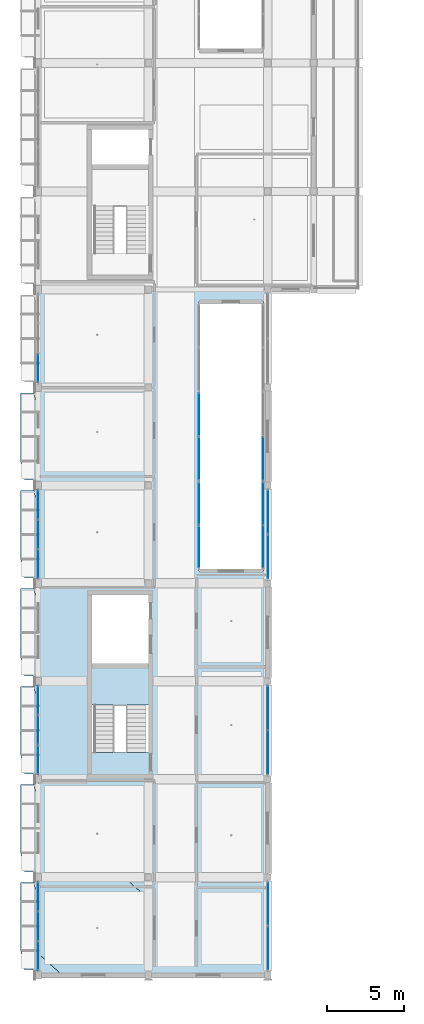
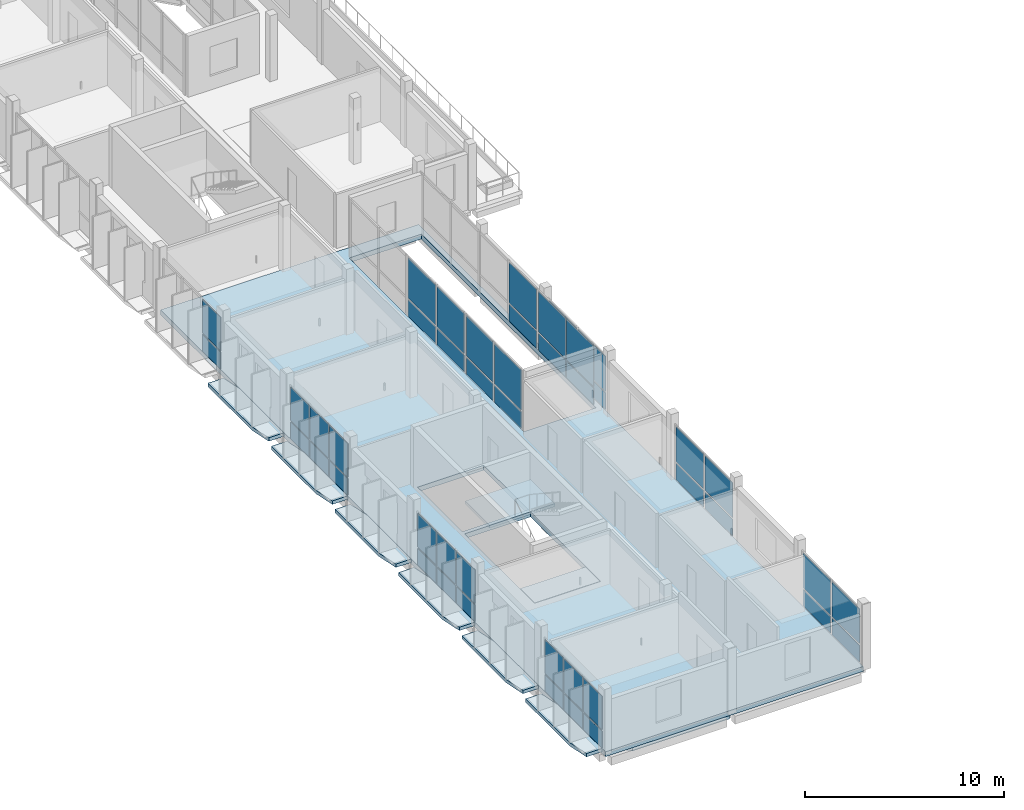
# One storey, part 39 of 86: 46 plates, 10 slabs, 12 elements without a shape of their own.
"""IFC4 building model written with IfcOpenShell, lengths in metres."""

from ifc_helpers import new_model, si_unit, derived_unit, direction, frame, origin, origin_2d, place, context, subcontext, project, spatial, polyline, rectangle, outline, extrude, material, layer, layer_set, type_object, element, aggregate, save


model = new_model("IFC4")

# Units and contexts
model_context = context("Model", 3, precision=1e-05, world=origin(), true_north=direction((0.0, 1.0)))
body_context = subcontext(model_context, "Body", "Model", "MODEL_VIEW")
ifc_project = project(units=[si_unit("LENGTHUNIT", "METRE"), si_unit("AREAUNIT", "SQUARE_METRE"), si_unit("VOLUMEUNIT", "CUBIC_METRE"), si_unit("PLANEANGLEUNIT", "RADIAN"), si_unit("MASSUNIT", "GRAM", prefix="KILO"), derived_unit("THERMALTRANSMITTANCEUNIT", [(si_unit("POWERUNIT", "WATT"), 1), (si_unit("LENGTHUNIT", "METRE"), -2), (si_unit("THERMODYNAMICTEMPERATUREUNIT", "KELVIN"), -1)])], contexts=[model_context])

# Site, building, storey
site_placement = place(None, origin())
site = spatial("IfcSite", under=ifc_project, at=site_placement, CompositionType="ELEMENT")
building_placement = place(site_placement, origin())
building = spatial("IfcBuilding", under=site, at=building_placement, Name="Braskholm Square Health Centre", CompositionType="ELEMENT")
storey_placement = place(building_placement, frame((0.0, 0.0, 13.5)))
storey = spatial("IfcBuildingStorey", under=building, at=storey_placement, Name="L04", CompositionType="ELEMENT", Elevation=13.5)

# Curtain wall, plates
ifc_material_1 = material(Name="Low-E triple insulating glass (VLT 0.64)", Category="glass")
curtain_wall_type_1 = type_object("IfcCurtainWallType", Name="UnitisedCurtainWall6200x3650", PredefinedType="NOTDEFINED", material=ifc_material_1)
curtain_wall_1_placement = place(storey_placement, origin())
curtain_wall_1 = element("IfcCurtainWall", 1, at=curtain_wall_1_placement, inside=storey, type_object=curtain_wall_type_1, Name="West Outer unitised curtain wall CW-L04-0022", PredefinedType="NOTDEFINED")
ifc_material_2 = material(Name="Architectural bronze anodised aluminium", Category="aluminium")
plate_type_1 = type_object("IfcPlateType", Name="CurtainPanelSpandrel1850x1020", PredefinedType="CURTAIN_PANEL", material=ifc_material_2)
plate_1_placement = place(storey_placement, frame((4.199951171875, 9.353271484375, 0.050048828125), z_axis=(0.0, 0.0, 1.0), x_axis=(0.0, -1.0, 0.0)))
plate_1 = element("IfcPlate", 2, at=plate_1_placement, type_object=plate_type_1, Name="CW-L04-0022 spandrel panel 1", PredefinedType="CURTAIN_PANEL", context=body_context, shape_type="SweptSolid", body=[
    extrude(rectangle(XDim=1.836181640625, YDim=0.035888671875, at=origin_2d()), origin(), (0.0, 0.0, 1.0), 1.02001953125),
])
plate_2_placement = place(storey_placement, frame((4.199951171875, 7.39990234375, 0.050048828125), z_axis=(0.0, 0.0, 1.0), x_axis=(0.0, -1.0, 0.0)))
plate_2 = element("IfcPlate", 3, at=plate_2_placement, type_object=plate_type_1, Name="CW-L04-0022 spandrel panel 2", PredefinedType="CURTAIN_PANEL", context=body_context, shape_type="SweptSolid", body=[
    extrude(rectangle(XDim=1.836181640625, YDim=0.035888671875, at=origin_2d()), origin(), (0.0, 0.0, 1.0), 1.02001953125),
])
plate_3_placement = place(storey_placement, frame((4.199951171875, 5.44677734375, 0.050048828125), z_axis=(0.0, 0.0, 1.0), x_axis=(0.0, -1.0, 0.0)))
plate_3 = element("IfcPlate", 4, at=plate_3_placement, type_object=plate_type_1, Name="CW-L04-0022 spandrel panel 3", PredefinedType="CURTAIN_PANEL", context=body_context, shape_type="SweptSolid", body=[
    extrude(rectangle(XDim=1.836181640625, YDim=0.035888671875, at=origin_2d()), origin(), (0.0, 0.0, 1.0), 1.02001953125),
])

curtain_wall_2_placement = place(storey_placement, origin())
curtain_wall_2 = element("IfcCurtainWall", 5, at=curtain_wall_2_placement, inside=storey, type_object=curtain_wall_type_1, Name="West Outer unitised curtain wall CW-L04-0023", PredefinedType="NOTDEFINED")
plate_4_placement = place(storey_placement, frame((4.199951171875, 22.1533203125, 0.050048828125), z_axis=(0.0, 0.0, 1.0), x_axis=(0.0, -1.0, 0.0)))
plate_4 = element("IfcPlate", 6, at=plate_4_placement, type_object=plate_type_1, Name="CW-L04-0023 spandrel panel 1", PredefinedType="CURTAIN_PANEL", context=body_context, shape_type="SweptSolid", body=[
    extrude(rectangle(XDim=1.836181640625, YDim=0.035888671875, at=origin_2d()), origin(), (0.0, 0.0, 1.0), 1.02001953125),
])
plate_5_placement = place(storey_placement, frame((4.199951171875, 20.199951171875, 0.050048828125), z_axis=(0.0, 0.0, 1.0), x_axis=(0.0, -1.0, 0.0)))
plate_5 = element("IfcPlate", 7, at=plate_5_placement, type_object=plate_type_1, Name="CW-L04-0023 spandrel panel 2", PredefinedType="CURTAIN_PANEL", context=body_context, shape_type="SweptSolid", body=[
    extrude(rectangle(XDim=1.836181640625, YDim=0.035888671875, at=origin_2d()), origin(), (0.0, 0.0, 1.0), 1.02001953125),
])
plate_6_placement = place(storey_placement, frame((4.199951171875, 18.24658203125, 0.050048828125), z_axis=(0.0, 0.0, 1.0), x_axis=(0.0, -1.0, 0.0)))
plate_6 = element("IfcPlate", 8, at=plate_6_placement, type_object=plate_type_1, Name="CW-L04-0023 spandrel panel 3", PredefinedType="CURTAIN_PANEL", context=body_context, shape_type="SweptSolid", body=[
    extrude(rectangle(XDim=1.836181640625, YDim=0.035888671875, at=origin_2d()), origin(), (0.0, 0.0, 1.0), 1.02001953125),
])

curtain_wall_3_placement = place(storey_placement, origin())
curtain_wall_3 = element("IfcCurtainWall", 9, at=curtain_wall_3_placement, inside=storey, type_object=curtain_wall_type_1, Name="West Outer unitised curtain wall CW-L04-0024", PredefinedType="NOTDEFINED")
plate_7_placement = place(storey_placement, frame((4.199951171875, 34.953369140625, 0.050048828125), z_axis=(0.0, 0.0, 1.0), x_axis=(0.0, -1.0, 0.0)))
plate_7 = element("IfcPlate", 10, at=plate_7_placement, type_object=plate_type_1, Name="CW-L04-0024 spandrel panel 1", PredefinedType="CURTAIN_PANEL", context=body_context, shape_type="SweptSolid", body=[
    extrude(rectangle(XDim=1.836181640625, YDim=0.035888671875, at=origin_2d()), origin(), (0.0, 0.0, 1.0), 1.02001953125),
])
plate_8_placement = place(storey_placement, frame((4.199951171875, 33.0, 0.050048828125), z_axis=(0.0, 0.0, 1.0), x_axis=(0.0, -1.0, 0.0)))
plate_8 = element("IfcPlate", 11, at=plate_8_placement, type_object=plate_type_1, Name="CW-L04-0024 spandrel panel 2", PredefinedType="CURTAIN_PANEL", context=body_context, shape_type="SweptSolid", body=[
    extrude(rectangle(XDim=1.836181640625, YDim=0.035888671875, at=origin_2d()), origin(), (0.0, 0.0, 1.0), 1.02001953125),
])
plate_9_placement = place(storey_placement, frame((4.199951171875, 31.046630859375, 0.050048828125), z_axis=(0.0, 0.0, 1.0), x_axis=(0.0, -1.0, 0.0)))
plate_9 = element("IfcPlate", 12, at=plate_9_placement, type_object=plate_type_1, Name="CW-L04-0024 spandrel panel 3", PredefinedType="CURTAIN_PANEL", context=body_context, shape_type="SweptSolid", body=[
    extrude(rectangle(XDim=1.836181640625, YDim=0.035888671875, at=origin_2d()), origin(), (0.0, 0.0, 1.0), 1.02001953125),
])

# Curtain wall, plate
curtain_wall_4_placement = place(storey_placement, origin())
curtain_wall_4 = element("IfcCurtainWall", 13, at=curtain_wall_4_placement, inside=storey, type_object=curtain_wall_type_1, Name="West Outer unitised curtain wall CW-L04-0025", PredefinedType="NOTDEFINED")
plate_10_placement = place(storey_placement, frame((4.199951171875, 43.8466796875, 0.050048828125), z_axis=(0.0, 0.0, 1.0), x_axis=(0.0, -1.0, 0.0)))
plate_10 = element("IfcPlate", 14, at=plate_10_placement, type_object=plate_type_1, Name="CW-L04-0025 spandrel panel 3", PredefinedType="CURTAIN_PANEL", context=body_context, shape_type="SweptSolid", body=[
    extrude(rectangle(XDim=1.836181640625, YDim=0.035888671875, at=origin_2d()), origin(), (0.0, 0.0, 1.0), 1.02001953125),
])

# Curtain wall, plates
curtain_wall_5_placement = place(storey_placement, origin())
curtain_wall_5 = element("IfcCurtainWall", 15, at=curtain_wall_5_placement, inside=storey, type_object=curtain_wall_type_1, Name="West Valley unitised curtain wall CW-L04-0095", PredefinedType="NOTDEFINED")
plate_type_2 = type_object("IfcPlateType", Name="CurtainPanelSpandrel2750x1020", PredefinedType="CURTAIN_PANEL", material=ifc_material_2)
plate_11_placement = place(storey_placement, frame((19.199951171875, 5.960205078125, 0.050048828125), z_axis=(0.0, 0.0, 1.0), x_axis=(0.0, 1.0, 0.0)))
plate_11 = element("IfcPlate", 16, at=plate_11_placement, type_object=plate_type_2, Name="CW-L04-0095 spandrel panel 1", PredefinedType="CURTAIN_PANEL", context=body_context, shape_type="SweptSolid", body=[
    extrude(rectangle(XDim=2.768310546875, YDim=0.035888671875, at=origin_2d()), origin(), (0.0, 0.0, 1.0), 1.02001953125),
])
plate_12_placement = place(storey_placement, frame((19.199951171875, 8.869873046875, 0.050048828125), z_axis=(0.0, 0.0, 1.0), x_axis=(0.0, 1.0, 0.0)))
plate_12 = element("IfcPlate", 17, at=plate_12_placement, type_object=plate_type_2, Name="CW-L04-0095 spandrel panel 2", PredefinedType="CURTAIN_PANEL", context=body_context, shape_type="SweptSolid", body=[
    extrude(rectangle(XDim=2.768310546875, YDim=0.035888671875, at=origin_2d()), origin(), (0.0, 0.0, 1.0), 1.02001953125),
])

curtain_wall_6_placement = place(storey_placement, origin())
curtain_wall_6 = element("IfcCurtainWall", 18, at=curtain_wall_6_placement, inside=storey, type_object=curtain_wall_type_1, Name="West Valley unitised curtain wall CW-L04-0096", PredefinedType="NOTDEFINED")
plate_13_placement = place(storey_placement, frame((19.199951171875, 18.73779296875, 0.050048828125), z_axis=(0.0, 0.0, 1.0), x_axis=(0.0, 1.0, 0.0)))
plate_13 = element("IfcPlate", 19, at=plate_13_placement, type_object=plate_type_2, Name="CW-L04-0096 spandrel panel 1", PredefinedType="CURTAIN_PANEL", context=body_context, shape_type="SweptSolid", body=[
    extrude(rectangle(XDim=2.782470703125, YDim=0.035888671875, at=origin_2d()), origin(), (0.0, 0.0, 1.0), 1.02001953125),
])
plate_14_placement = place(storey_placement, frame((19.199951171875, 21.662109375, 0.050048828125), z_axis=(0.0, 0.0, 1.0), x_axis=(0.0, 1.0, 0.0)))
plate_14 = element("IfcPlate", 20, at=plate_14_placement, type_object=plate_type_2, Name="CW-L04-0096 spandrel panel 2", PredefinedType="CURTAIN_PANEL", context=body_context, shape_type="SweptSolid", body=[
    extrude(rectangle(XDim=2.782470703125, YDim=0.035888671875, at=origin_2d()), origin(), (0.0, 0.0, 1.0), 1.02001953125),
])

curtain_wall_7_placement = place(storey_placement, origin())
curtain_wall_7 = element("IfcCurtainWall", 21, at=curtain_wall_7_placement, inside=storey, type_object=curtain_wall_type_1, Name="West Valley unitised curtain wall CW-L04-0097", PredefinedType="NOTDEFINED")
plate_15_placement = place(storey_placement, frame((19.199951171875, 31.537841796875, 0.050048828125), z_axis=(0.0, 0.0, 1.0), x_axis=(0.0, 1.0, 0.0)))
plate_15 = element("IfcPlate", 22, at=plate_15_placement, type_object=plate_type_2, Name="CW-L04-0097 spandrel panel 1", PredefinedType="CURTAIN_PANEL", context=body_context, shape_type="SweptSolid", body=[
    extrude(rectangle(XDim=2.782470703125, YDim=0.035888671875, at=origin_2d()), origin(), (0.0, 0.0, 1.0), 1.02001953125),
])
plate_16_placement = place(storey_placement, frame((19.199951171875, 34.462158203125, 0.050048828125), z_axis=(0.0, 0.0, 1.0), x_axis=(0.0, 1.0, 0.0)))
plate_16 = element("IfcPlate", 23, at=plate_16_placement, type_object=plate_type_2, Name="CW-L04-0097 spandrel panel 2", PredefinedType="CURTAIN_PANEL", context=body_context, shape_type="SweptSolid", body=[
    extrude(rectangle(XDim=2.782470703125, YDim=0.035888671875, at=origin_2d()), origin(), (0.0, 0.0, 1.0), 1.02001953125),
])

curtain_wall_type_2 = type_object("IfcCurtainWallType", Name="UnitisedCurtainWall5400x3800", PredefinedType="NOTDEFINED", material=ifc_material_1)
curtain_wall_8_placement = place(storey_placement, origin())
curtain_wall_8 = element("IfcCurtainWall", 24, at=curtain_wall_8_placement, inside=storey, type_object=curtain_wall_type_2, Name="WC1 Court W unitised curtain wall CW-L04-0267", PredefinedType="NOTDEFINED")
plate_17_placement = place(storey_placement, frame((14.699951171875, 32.187744140625, 0.050048828125), z_axis=(0.0, 0.0, 1.0), x_axis=(0.0, 1.0, 0.0)))
plate_17 = element("IfcPlate", 25, at=plate_17_placement, type_object=plate_type_2, Name="CW-L04-0267 spandrel panel 1", PredefinedType="CURTAIN_PANEL", context=body_context, shape_type="SweptSolid", body=[
    extrude(rectangle(XDim=2.689208984375, YDim=0.035888671875, at=origin_2d()), origin(), (0.0, 0.0, 1.0), 1.02001953125),
])
plate_18_placement = place(storey_placement, frame((14.699951171875, 35.014404296875, 0.050048828125), z_axis=(0.0, 0.0, 1.0), x_axis=(0.0, 1.0, 0.0)))
plate_18 = element("IfcPlate", 26, at=plate_18_placement, type_object=plate_type_2, Name="CW-L04-0267 spandrel panel 2", PredefinedType="CURTAIN_PANEL", context=body_context, shape_type="SweptSolid", body=[
    extrude(rectangle(XDim=2.689208984375, YDim=0.035888671875, at=origin_2d()), origin(), (0.0, 0.0, 1.0), 1.02001953125),
])

curtain_wall_9_placement = place(storey_placement, origin())
curtain_wall_9 = element("IfcCurtainWall", 27, at=curtain_wall_9_placement, inside=storey, type_object=curtain_wall_type_2, Name="WC1 Court E unitised curtain wall CW-L04-0268", PredefinedType="NOTDEFINED")
plate_19_placement = place(storey_placement, frame((18.89990234375, 35.014404296875, 0.050048828125), z_axis=(0.0, 0.0, 1.0), x_axis=(0.0, -1.0, 0.0)))
plate_19 = element("IfcPlate", 28, at=plate_19_placement, type_object=plate_type_2, Name="CW-L04-0268 spandrel panel 1", PredefinedType="CURTAIN_PANEL", context=body_context, shape_type="SweptSolid", body=[
    extrude(rectangle(XDim=2.689208984375, YDim=0.035888671875, at=origin_2d()), origin(), (0.0, 0.0, 1.0), 1.02001953125),
])
plate_20_placement = place(storey_placement, frame((18.89990234375, 32.187744140625, 0.050048828125), z_axis=(0.0, 0.0, 1.0), x_axis=(0.0, -1.0, 0.0)))
plate_20 = element("IfcPlate", 29, at=plate_20_placement, type_object=plate_type_2, Name="CW-L04-0268 spandrel panel 2", PredefinedType="CURTAIN_PANEL", context=body_context, shape_type="SweptSolid", body=[
    extrude(rectangle(XDim=2.689208984375, YDim=0.035888671875, at=origin_2d()), origin(), (0.0, 0.0, 1.0), 1.02001953125),
])

curtain_wall_type_3 = type_object("IfcCurtainWallType", Name="UnitisedCurtainWall6200x3800", PredefinedType="NOTDEFINED", material=ifc_material_1)
curtain_wall_10_placement = place(storey_placement, origin())
curtain_wall_10 = element("IfcCurtainWall", 30, at=curtain_wall_10_placement, inside=storey, type_object=curtain_wall_type_3, Name="WC1 Court W unitised curtain wall CW-L04-0269", PredefinedType="NOTDEFINED")
plate_21_placement = place(storey_placement, frame((14.699951171875, 37.95361328125, 0.050048828125), z_axis=(0.0, 0.0, 1.0), x_axis=(0.0, 1.0, 0.0)))
plate_21 = element("IfcPlate", 31, at=plate_21_placement, type_object=plate_type_2, Name="CW-L04-0269 spandrel panel 1", PredefinedType="CURTAIN_PANEL", context=body_context, shape_type="SweptSolid", body=[
    extrude(rectangle(XDim=2.752197265625, YDim=0.035888671875, at=origin_2d()), origin(), (0.0, 0.0, 1.0), 1.02001953125),
])
plate_22_placement = place(storey_placement, frame((14.699951171875, 40.846435546875, 0.050048828125), z_axis=(0.0, 0.0, 1.0), x_axis=(0.0, 1.0, 0.0)))
plate_22 = element("IfcPlate", 32, at=plate_22_placement, type_object=plate_type_2, Name="CW-L04-0269 spandrel panel 2", PredefinedType="CURTAIN_PANEL", context=body_context, shape_type="SweptSolid", body=[
    extrude(rectangle(XDim=2.752197265625, YDim=0.035888671875, at=origin_2d()), origin(), (0.0, 0.0, 1.0), 1.02001953125),
])

# Curtain wall, plate
curtain_wall_11_placement = place(storey_placement, origin())
curtain_wall_11 = element("IfcCurtainWall", 33, at=curtain_wall_11_placement, inside=storey, type_object=curtain_wall_type_3, Name="WC1 Court E unitised curtain wall CW-L04-0270", PredefinedType="NOTDEFINED")
plate_23_placement = place(storey_placement, frame((18.89990234375, 37.95361328125, 0.050048828125), z_axis=(0.0, 0.0, 1.0), x_axis=(0.0, -1.0, 0.0)))
plate_23 = element("IfcPlate", 34, at=plate_23_placement, type_object=plate_type_2, Name="CW-L04-0270 spandrel panel 2", PredefinedType="CURTAIN_PANEL", context=body_context, shape_type="SweptSolid", body=[
    extrude(rectangle(XDim=2.752197265625, YDim=0.035888671875, at=origin_2d()), origin(), (0.0, 0.0, 1.0), 1.02001953125),
])

# Plate
plate_type_3 = type_object("IfcPlateType", Name="CurtainPanelVision1850x2120", PredefinedType="CURTAIN_PANEL", material=ifc_material_1)
plate_24_placement = place(storey_placement, frame((4.199951171875, 9.353271484375, 1.169921875), z_axis=(0.0, 0.0, 1.0), x_axis=(0.0, -1.0, 0.0)))
plate_24 = element("IfcPlate", 35, at=plate_24_placement, type_object=plate_type_3, Name="CW-L04-0022 vision glass panel 1", PredefinedType="CURTAIN_PANEL", context=body_context, shape_type="SweptSolid", body=[
    extrude(rectangle(XDim=1.836181640625, YDim=0.035888671875, at=origin_2d()), origin(), (0.0, 0.0, 1.0), 2.050048828125),
])

plate_25_placement = place(storey_placement, frame((4.199951171875, 7.39990234375, 1.169921875), z_axis=(0.0, 0.0, 1.0), x_axis=(0.0, -1.0, 0.0)))
plate_25 = element("IfcPlate", 36, at=plate_25_placement, type_object=plate_type_3, Name="CW-L04-0022 vision glass panel 2", PredefinedType="CURTAIN_PANEL", context=body_context, shape_type="SweptSolid", body=[
    extrude(rectangle(XDim=1.836181640625, YDim=0.035888671875, at=origin_2d()), origin(), (0.0, 0.0, 1.0), 2.050048828125),
])

plate_26_placement = place(storey_placement, frame((4.199951171875, 5.44677734375, 1.169921875), z_axis=(0.0, 0.0, 1.0), x_axis=(0.0, -1.0, 0.0)))
plate_26 = element("IfcPlate", 37, at=plate_26_placement, type_object=plate_type_3, Name="CW-L04-0022 vision glass panel 3", PredefinedType="CURTAIN_PANEL", context=body_context, shape_type="SweptSolid", body=[
    extrude(rectangle(XDim=1.836181640625, YDim=0.035888671875, at=origin_2d()), origin(), (0.0, 0.0, 1.0), 2.050048828125),
])

aggregate(curtain_wall_1, [plate_1, plate_24, plate_2, plate_25, plate_3, plate_26])

plate_27_placement = place(storey_placement, frame((4.199951171875, 22.1533203125, 1.169921875), z_axis=(0.0, 0.0, 1.0), x_axis=(0.0, -1.0, 0.0)))
plate_27 = element("IfcPlate", 38, at=plate_27_placement, type_object=plate_type_3, Name="CW-L04-0023 vision glass panel 1", PredefinedType="CURTAIN_PANEL", context=body_context, shape_type="SweptSolid", body=[
    extrude(rectangle(XDim=1.836181640625, YDim=0.035888671875, at=origin_2d()), origin(), (0.0, 0.0, 1.0), 2.050048828125),
])

plate_28_placement = place(storey_placement, frame((4.199951171875, 20.199951171875, 1.169921875), z_axis=(0.0, 0.0, 1.0), x_axis=(0.0, -1.0, 0.0)))
plate_28 = element("IfcPlate", 39, at=plate_28_placement, type_object=plate_type_3, Name="CW-L04-0023 vision glass panel 2", PredefinedType="CURTAIN_PANEL", context=body_context, shape_type="SweptSolid", body=[
    extrude(rectangle(XDim=1.836181640625, YDim=0.035888671875, at=origin_2d()), origin(), (0.0, 0.0, 1.0), 2.050048828125),
])

plate_29_placement = place(storey_placement, frame((4.199951171875, 18.24658203125, 1.169921875), z_axis=(0.0, 0.0, 1.0), x_axis=(0.0, -1.0, 0.0)))
plate_29 = element("IfcPlate", 40, at=plate_29_placement, type_object=plate_type_3, Name="CW-L04-0023 vision glass panel 3", PredefinedType="CURTAIN_PANEL", context=body_context, shape_type="SweptSolid", body=[
    extrude(rectangle(XDim=1.836181640625, YDim=0.035888671875, at=origin_2d()), origin(), (0.0, 0.0, 1.0), 2.050048828125),
])

aggregate(curtain_wall_2, [plate_4, plate_27, plate_5, plate_28, plate_6, plate_29])

plate_30_placement = place(storey_placement, frame((4.199951171875, 34.953369140625, 1.169921875), z_axis=(0.0, 0.0, 1.0), x_axis=(0.0, -1.0, 0.0)))
plate_30 = element("IfcPlate", 41, at=plate_30_placement, type_object=plate_type_3, Name="CW-L04-0024 vision glass panel 1", PredefinedType="CURTAIN_PANEL", context=body_context, shape_type="SweptSolid", body=[
    extrude(rectangle(XDim=1.836181640625, YDim=0.035888671875, at=origin_2d()), origin(), (0.0, 0.0, 1.0), 2.050048828125),
])

plate_31_placement = place(storey_placement, frame((4.199951171875, 33.0, 1.169921875), z_axis=(0.0, 0.0, 1.0), x_axis=(0.0, -1.0, 0.0)))
plate_31 = element("IfcPlate", 42, at=plate_31_placement, type_object=plate_type_3, Name="CW-L04-0024 vision glass panel 2", PredefinedType="CURTAIN_PANEL", context=body_context, shape_type="SweptSolid", body=[
    extrude(rectangle(XDim=1.836181640625, YDim=0.035888671875, at=origin_2d()), origin(), (0.0, 0.0, 1.0), 2.050048828125),
])

plate_32_placement = place(storey_placement, frame((4.199951171875, 31.046630859375, 1.169921875), z_axis=(0.0, 0.0, 1.0), x_axis=(0.0, -1.0, 0.0)))
plate_32 = element("IfcPlate", 43, at=plate_32_placement, type_object=plate_type_3, Name="CW-L04-0024 vision glass panel 3", PredefinedType="CURTAIN_PANEL", context=body_context, shape_type="SweptSolid", body=[
    extrude(rectangle(XDim=1.836181640625, YDim=0.035888671875, at=origin_2d()), origin(), (0.0, 0.0, 1.0), 2.050048828125),
])

aggregate(curtain_wall_3, [plate_7, plate_30, plate_8, plate_31, plate_9, plate_32])

plate_33_placement = place(storey_placement, frame((4.199951171875, 43.8466796875, 1.169921875), z_axis=(0.0, 0.0, 1.0), x_axis=(0.0, -1.0, 0.0)))
plate_33 = element("IfcPlate", 44, at=plate_33_placement, type_object=plate_type_3, Name="CW-L04-0025 vision glass panel 3", PredefinedType="CURTAIN_PANEL", context=body_context, shape_type="SweptSolid", body=[
    extrude(rectangle(XDim=1.836181640625, YDim=0.035888671875, at=origin_2d()), origin(), (0.0, 0.0, 1.0), 2.050048828125),
])

aggregate(curtain_wall_4, [plate_10, plate_33])

plate_type_4 = type_object("IfcPlateType", Name="CurtainPanelVision2750x2120", PredefinedType="CURTAIN_PANEL", material=ifc_material_1)
plate_34_placement = place(storey_placement, frame((19.199951171875, 5.960205078125, 1.169921875), z_axis=(0.0, 0.0, 1.0), x_axis=(0.0, 1.0, 0.0)))
plate_34 = element("IfcPlate", 45, at=plate_34_placement, type_object=plate_type_4, Name="CW-L04-0095 vision glass panel 1", PredefinedType="CURTAIN_PANEL", context=body_context, shape_type="SweptSolid", body=[
    extrude(rectangle(XDim=2.768310546875, YDim=0.035888671875, at=origin_2d()), origin(), (0.0, 0.0, 1.0), 2.139892578125),
])

plate_35_placement = place(storey_placement, frame((19.199951171875, 8.869873046875, 1.169921875), z_axis=(0.0, 0.0, 1.0), x_axis=(0.0, 1.0, 0.0)))
plate_35 = element("IfcPlate", 46, at=plate_35_placement, type_object=plate_type_4, Name="CW-L04-0095 vision glass panel 2", PredefinedType="CURTAIN_PANEL", context=body_context, shape_type="SweptSolid", body=[
    extrude(rectangle(XDim=2.768310546875, YDim=0.035888671875, at=origin_2d()), origin(), (0.0, 0.0, 1.0), 2.139892578125),
])

aggregate(curtain_wall_5, [plate_11, plate_34, plate_12, plate_35])

plate_36_placement = place(storey_placement, frame((19.199951171875, 18.73779296875, 1.169921875), z_axis=(0.0, 0.0, 1.0), x_axis=(0.0, 1.0, 0.0)))
plate_36 = element("IfcPlate", 47, at=plate_36_placement, type_object=plate_type_4, Name="CW-L04-0096 vision glass panel 1", PredefinedType="CURTAIN_PANEL", context=body_context, shape_type="SweptSolid", body=[
    extrude(rectangle(XDim=2.782470703125, YDim=0.035888671875, at=origin_2d()), origin(), (0.0, 0.0, 1.0), 2.139892578125),
])

plate_37_placement = place(storey_placement, frame((19.199951171875, 21.662109375, 1.169921875), z_axis=(0.0, 0.0, 1.0), x_axis=(0.0, 1.0, 0.0)))
plate_37 = element("IfcPlate", 48, at=plate_37_placement, type_object=plate_type_4, Name="CW-L04-0096 vision glass panel 2", PredefinedType="CURTAIN_PANEL", context=body_context, shape_type="SweptSolid", body=[
    extrude(rectangle(XDim=2.782470703125, YDim=0.035888671875, at=origin_2d()), origin(), (0.0, 0.0, 1.0), 2.139892578125),
])

aggregate(curtain_wall_6, [plate_13, plate_36, plate_14, plate_37])

plate_38_placement = place(storey_placement, frame((19.199951171875, 31.537841796875, 1.169921875), z_axis=(0.0, 0.0, 1.0), x_axis=(0.0, 1.0, 0.0)))
plate_38 = element("IfcPlate", 49, at=plate_38_placement, type_object=plate_type_4, Name="CW-L04-0097 vision glass panel 1", PredefinedType="CURTAIN_PANEL", context=body_context, shape_type="SweptSolid", body=[
    extrude(rectangle(XDim=2.782470703125, YDim=0.035888671875, at=origin_2d()), origin(), (0.0, 0.0, 1.0), 2.139892578125),
])

plate_39_placement = place(storey_placement, frame((19.199951171875, 34.462158203125, 1.169921875), z_axis=(0.0, 0.0, 1.0), x_axis=(0.0, 1.0, 0.0)))
plate_39 = element("IfcPlate", 50, at=plate_39_placement, type_object=plate_type_4, Name="CW-L04-0097 vision glass panel 2", PredefinedType="CURTAIN_PANEL", context=body_context, shape_type="SweptSolid", body=[
    extrude(rectangle(XDim=2.782470703125, YDim=0.035888671875, at=origin_2d()), origin(), (0.0, 0.0, 1.0), 2.139892578125),
])

aggregate(curtain_wall_7, [plate_15, plate_38, plate_16, plate_39])

plate_type_5 = type_object("IfcPlateType", Name="CurtainPanelVision2750x2520", PredefinedType="CURTAIN_PANEL", material=ifc_material_1)
plate_40_placement = place(storey_placement, frame((14.699951171875, 32.187744140625, 1.169921875), z_axis=(0.0, 0.0, 1.0), x_axis=(0.0, 1.0, 0.0)))
plate_40 = element("IfcPlate", 51, at=plate_40_placement, type_object=plate_type_5, Name="CW-L04-0267 vision glass panel 1", PredefinedType="CURTAIN_PANEL", context=body_context, shape_type="SweptSolid", body=[
    extrude(rectangle(XDim=2.689208984375, YDim=0.035888671875, at=origin_2d()), origin(), (0.0, 0.0, 1.0), 2.469970703125),
])

plate_41_placement = place(storey_placement, frame((14.699951171875, 35.014404296875, 1.169921875), z_axis=(0.0, 0.0, 1.0), x_axis=(0.0, 1.0, 0.0)))
plate_41 = element("IfcPlate", 52, at=plate_41_placement, type_object=plate_type_5, Name="CW-L04-0267 vision glass panel 2", PredefinedType="CURTAIN_PANEL", context=body_context, shape_type="SweptSolid", body=[
    extrude(rectangle(XDim=2.689208984375, YDim=0.035888671875, at=origin_2d()), origin(), (0.0, 0.0, 1.0), 2.469970703125),
])

aggregate(curtain_wall_8, [plate_17, plate_40, plate_18, plate_41])

plate_42_placement = place(storey_placement, frame((18.89990234375, 35.014404296875, 1.169921875), z_axis=(0.0, 0.0, 1.0), x_axis=(0.0, -1.0, 0.0)))
plate_42 = element("IfcPlate", 53, at=plate_42_placement, type_object=plate_type_5, Name="CW-L04-0268 vision glass panel 1", PredefinedType="CURTAIN_PANEL", context=body_context, shape_type="SweptSolid", body=[
    extrude(rectangle(XDim=2.689208984375, YDim=0.035888671875, at=origin_2d()), origin(), (0.0, 0.0, 1.0), 2.469970703125),
])

plate_43_placement = place(storey_placement, frame((18.89990234375, 32.187744140625, 1.169921875), z_axis=(0.0, 0.0, 1.0), x_axis=(0.0, -1.0, 0.0)))
plate_43 = element("IfcPlate", 54, at=plate_43_placement, type_object=plate_type_5, Name="CW-L04-0268 vision glass panel 2", PredefinedType="CURTAIN_PANEL", context=body_context, shape_type="SweptSolid", body=[
    extrude(rectangle(XDim=2.689208984375, YDim=0.035888671875, at=origin_2d()), origin(), (0.0, 0.0, 1.0), 2.469970703125),
])

aggregate(curtain_wall_9, [plate_19, plate_42, plate_20, plate_43])

plate_44_placement = place(storey_placement, frame((14.699951171875, 37.95361328125, 1.169921875), z_axis=(0.0, 0.0, 1.0), x_axis=(0.0, 1.0, 0.0)))
plate_44 = element("IfcPlate", 55, at=plate_44_placement, type_object=plate_type_5, Name="CW-L04-0269 vision glass panel 1", PredefinedType="CURTAIN_PANEL", context=body_context, shape_type="SweptSolid", body=[
    extrude(rectangle(XDim=2.752197265625, YDim=0.035888671875, at=origin_2d()), origin(), (0.0, 0.0, 1.0), 2.469970703125),
])

plate_45_placement = place(storey_placement, frame((14.699951171875, 40.846435546875, 1.169921875), z_axis=(0.0, 0.0, 1.0), x_axis=(0.0, 1.0, 0.0)))
plate_45 = element("IfcPlate", 56, at=plate_45_placement, type_object=plate_type_5, Name="CW-L04-0269 vision glass panel 2", PredefinedType="CURTAIN_PANEL", context=body_context, shape_type="SweptSolid", body=[
    extrude(rectangle(XDim=2.752197265625, YDim=0.035888671875, at=origin_2d()), origin(), (0.0, 0.0, 1.0), 2.469970703125),
])

aggregate(curtain_wall_10, [plate_21, plate_44, plate_22, plate_45])

plate_46_placement = place(storey_placement, frame((18.89990234375, 37.95361328125, 1.169921875), z_axis=(0.0, 0.0, 1.0), x_axis=(0.0, -1.0, 0.0)))
plate_46 = element("IfcPlate", 57, at=plate_46_placement, type_object=plate_type_5, Name="CW-L04-0270 vision glass panel 2", PredefinedType="CURTAIN_PANEL", context=body_context, shape_type="SweptSolid", body=[
    extrude(rectangle(XDim=2.752197265625, YDim=0.035888671875, at=origin_2d()), origin(), (0.0, 0.0, 1.0), 2.469970703125),
])

aggregate(curtain_wall_11, [plate_23, plate_46])

# Slabs
ifc_material_3 = material(Name="Precast concrete C40/50 architectural white", Category="concrete")
ifc_layer_1 = layer(ifc_material_3, 0.2099609375)
ifc_layer_set_1 = layer_set([ifc_layer_1], Name="Precast concrete C40/50 architectural white")
slab_type_1 = type_object("IfcSlabType", Name="PitchedAndCrownRoofSlab150", PredefinedType="ROOF", material=ifc_layer_set_1)
slab_1_placement = place(storey_placement, frame((0.0, 0.0, -0.2099609375)))
element("IfcSlab", 58, at=slab_1_placement, inside=storey, type_object=slab_type_1, Name="Level L04 West precast planter ledge 033", PredefinedType="ROOF", context=body_context, shape_type="SweptSolid", body=[
    extrude(outline(polyline([(3.302978515625, 4.550048828125), (4.199951171875, 4.550048828125), (4.199951171875, 8.99609375), (3.947021484375, 10.25), (3.050048828125, 10.25), (3.050048828125, 5.803955078125), (3.302978515625, 4.550048828125)])), origin(), (0.0, 0.0, 1.0), 0.2099609375),
])
slab_2_placement = place(storey_placement, frame((0.0, 0.0, -0.2099609375)))
element("IfcSlab", 59, at=slab_2_placement, inside=storey, type_object=slab_type_1, Name="Level L04 West precast planter ledge 034", PredefinedType="ROOF", context=body_context, shape_type="SweptSolid", body=[
    extrude(outline(polyline([(3.302978515625, 10.949951171875), (4.199951171875, 10.949951171875), (4.199951171875, 15.39599609375), (3.947021484375, 16.64990234375), (3.050048828125, 16.64990234375), (3.050048828125, 12.2041015625), (3.302978515625, 10.949951171875)])), origin(), (0.0, 0.0, 1.0), 0.2099609375),
])
slab_3_placement = place(storey_placement, frame((0.0, 0.0, -0.2099609375)))
element("IfcSlab", 60, at=slab_3_placement, inside=storey, type_object=slab_type_1, Name="Level L04 West precast planter ledge 035", PredefinedType="ROOF", context=body_context, shape_type="SweptSolid", body=[
    extrude(outline(polyline([(3.302978515625, 17.35009765625), (4.199951171875, 17.35009765625), (4.199951171875, 21.7958984375), (3.947021484375, 23.050048828125), (3.050048828125, 23.050048828125), (3.050048828125, 18.60400390625), (3.302978515625, 17.35009765625)])), origin(), (0.0, 0.0, 1.0), 0.2099609375),
])
slab_4_placement = place(storey_placement, frame((0.0, 0.0, -0.2099609375)))
element("IfcSlab", 61, at=slab_4_placement, inside=storey, type_object=slab_type_1, Name="Level L04 West precast planter ledge 036", PredefinedType="ROOF", context=body_context, shape_type="SweptSolid", body=[
    extrude(outline(polyline([(3.302978515625, 23.75), (4.199951171875, 23.75), (4.199951171875, 28.196044921875), (3.947021484375, 29.449951171875), (3.050048828125, 29.449951171875), (3.050048828125, 25.00390625), (3.302978515625, 23.75)])), origin(), (0.0, 0.0, 1.0), 0.2099609375),
])
slab_5_placement = place(storey_placement, frame((0.0, 0.0, -0.2099609375)))
element("IfcSlab", 62, at=slab_5_placement, inside=storey, type_object=slab_type_1, Name="Level L04 West precast planter ledge 037", PredefinedType="ROOF", context=body_context, shape_type="SweptSolid", body=[
    extrude(outline(polyline([(3.302978515625, 30.14990234375), (4.199951171875, 30.14990234375), (4.199951171875, 34.595947265625), (3.947021484375, 35.85009765625), (3.050048828125, 35.85009765625), (3.050048828125, 31.404052734375), (3.302978515625, 30.14990234375)])), origin(), (0.0, 0.0, 1.0), 0.2099609375),
])
slab_6_placement = place(storey_placement, frame((0.0, 0.0, -0.2099609375)))
element("IfcSlab", 63, at=slab_6_placement, inside=storey, type_object=slab_type_1, Name="Level L04 West precast planter ledge 038", PredefinedType="ROOF", context=body_context, shape_type="SweptSolid", body=[
    extrude(outline(polyline([(3.302978515625, 36.550048828125), (4.199951171875, 36.550048828125), (4.199951171875, 40.99609375), (3.947021484375, 42.25), (3.050048828125, 42.25), (3.050048828125, 37.803955078125), (3.302978515625, 36.550048828125)])), origin(), (0.0, 0.0, 1.0), 0.2099609375),
])
ifc_material_4 = material(Name="Concrete C35/45 (f'c = 35 MPa)", Category="concrete")
ifc_layer_2 = layer(ifc_material_4, 0.199951171875)
ifc_layer_set_2 = layer_set([ifc_layer_2], Name="Concrete C35/45 (f'c = 35 MPa)")
slab_type_2 = type_object("IfcSlabType", Name="PunchingDropPanel200", PredefinedType="USERDEFINED", material=ifc_layer_set_2)
slab_7_placement = place(storey_placement, frame((0.0, 0.0, -0.5)))
element("IfcSlab", 64, at=slab_7_placement, inside=storey, type_object=slab_type_2, Name="Thickened vibration drop panel 013 L04", ObjectType="DROPPANEL", PredefinedType="USERDEFINED", context=body_context, shape_type="SweptSolid", body=[
    extrude(outline(polyline([(5.783935546875, 4.199951171875), (11.39990234375, 4.199951171875), (11.39990234375, 9.19189453125), (9.81591796875, 10.60009765625), (4.199951171875, 10.60009765625), (4.199951171875, 5.60791015625), (5.783935546875, 4.199951171875)])), origin(), (0.0, 0.0, 1.0), 0.199951171875),
])

# Stair, slabs
stair_type = type_object("IfcStairType", Name="ExitReturnStairL04", PredefinedType="HALF_TURN_STAIR", material=ifc_material_4)
stair_placement = place(storey_placement, origin())
stair = element("IfcStair", 65, at=stair_placement, inside=storey, type_object=stair_type, Name="Enclosed exit stair ST-01 L04 to L05", PredefinedType="HALF_TURN_STAIR")
ifc_layer_3 = layer(ifc_material_4, 0.179931640625)
ifc_layer_set_3 = layer_set([ifc_layer_3], Name="Concrete C35/45 (f'c = 35 MPa)")
slab_type_3 = type_object("IfcSlabType", Name="StairLandingSlab180", PredefinedType="LANDING", material=ifc_layer_set_3)
slab_8_placement = place(storey_placement, frame((0.0, 0.0, 1.844970703125)))
slab_8 = element("IfcSlab", 66, at=slab_8_placement, type_object=slab_type_3, Name="Stair ST-01 half-landing L04", PredefinedType="LANDING", context=body_context, shape_type="SweptSolid", body=[
    extrude(outline(polyline([(7.64990234375, 21.840087890625), (11.449951171875, 21.840087890625), (11.449951171875, 24.300048828125), (7.64990234375, 24.300048828125), (7.64990234375, 21.840087890625)])), origin(), (0.0, 0.0, 1.0), 0.179931640625),
])
slab_9_placement = place(storey_placement, frame((0.0, 0.0, -0.179931640625)))
slab_9 = element("IfcSlab", 67, at=slab_9_placement, type_object=slab_type_3, Name="Stair ST-01 floor landing L04", PredefinedType="LANDING", context=body_context, shape_type="SweptSolid", body=[
    extrude(outline(polyline([(7.64990234375, 17.300048828125), (11.449951171875, 17.300048828125), (11.449951171875, 18.760009765625), (7.64990234375, 18.760009765625), (7.64990234375, 17.300048828125)])), origin(), (0.0, 0.0, 1.0), 0.179931640625),
])
aggregate(stair, [slab_8, slab_9])

# Slab
ifc_layer_4 = layer(ifc_material_4, 0.300048828125)
ifc_layer_set_4 = layer_set([ifc_layer_4], Name="Concrete C35/45 (f'c = 35 MPa)")
slab_type_4 = type_object("IfcSlabType", Name="TwoWayClinicalFlatSlab300", PredefinedType="FLOOR", material=ifc_layer_set_4)
slab_10_placement = place(storey_placement, frame((0.0, 0.0, -0.300048828125)))
element("IfcSlab", 68, at=slab_10_placement, inside=storey, type_object=slab_type_4, Name="Level L04 V2 Pain procedure suite slab", PredefinedType="FLOOR", context=body_context, shape_type="SweptSolid", body=[
    extrude(outline(polyline([(4.199951171875, 4.199951171875), (19.199951171875, 4.199951171875), (19.199951171875, 49.0), (4.199951171875, 49.0), (4.199951171875, 4.199951171875)]), holes=[polyline([(7.6298828125, 17.280029296875), (11.469970703125, 17.280029296875), (11.469970703125, 24.320068359375), (7.6298828125, 24.320068359375), (7.6298828125, 17.280029296875)]), polyline([(7.6298828125, 24.550048828125), (11.469970703125, 24.550048828125), (11.469970703125, 29.050048828125), (7.6298828125, 29.050048828125), (7.6298828125, 24.550048828125)]), polyline([(14.699951171875, 30.60009765625), (18.89990234375, 30.60009765625), (18.89990234375, 48.199951171875), (14.699951171875, 48.199951171875), (14.699951171875, 30.60009765625)])]), origin(), (0.0, 0.0, 1.0), 0.300048828125),
])

save(model, "model.ifc")
